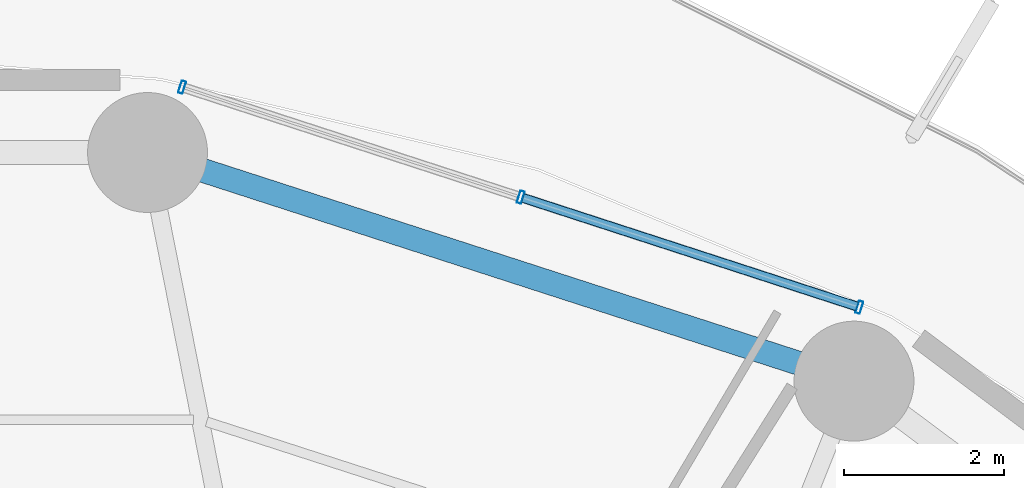
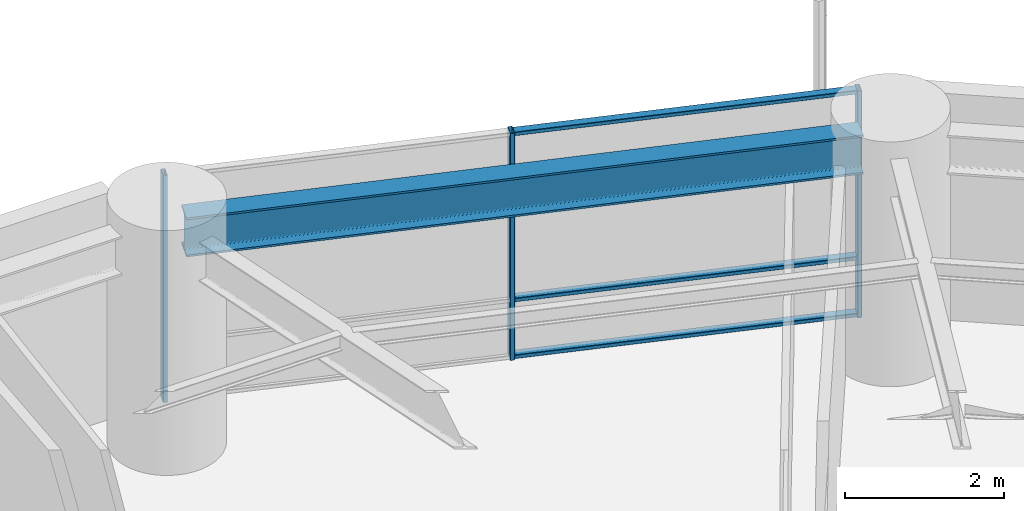
# One storey, part 22 of 34: 6 members, 1 beam, 1 element without a shape of its own.
"""IFC4 building model written with IfcOpenShell, lengths in metres."""

from ifc_helpers import new_model, si_unit, direction, frame, origin, origin_2d, place, context, subcontext, project, spatial, hollow_rectangle, i_section, extrude, material, layer, layer_set, material_profile, profile_set, type_object, element, aggregate, save


model = new_model("IFC4")

# Units and contexts
model_context = context("Model", 3, precision=1e-05, world=origin(), true_north=direction((0.0, 1.0)))
body_context = subcontext(model_context, "Body", "Model", "MODEL_VIEW")
ifc_project = project(units=[si_unit("LENGTHUNIT", "METRE"), si_unit("AREAUNIT", "SQUARE_METRE"), si_unit("VOLUMEUNIT", "CUBIC_METRE"), si_unit("PLANEANGLEUNIT", "RADIAN"), si_unit("MASSUNIT", "GRAM", prefix="KILO")], contexts=[model_context])

# Site, building, storey
site_placement = place(None, origin())
site = spatial("IfcSite", under=ifc_project, at=site_placement, CompositionType="ELEMENT")
building_placement = place(site_placement, origin())
building = spatial("IfcBuilding", under=site, at=building_placement, Name="Kelanora Arch Commons", CompositionType="ELEMENT")
storey_placement = place(building_placement, frame((0.0, 0.0, 33.75)))
storey = spatial("IfcBuildingStorey", under=building, at=storey_placement, Name="L08", CompositionType="ELEMENT", Elevation=33.75)

# Beam
ifc_material_1 = material(Name="Steel S355", Category="steel")
ifc_material_profile_1 = material_profile(ifc_material_1, i_section(OverallWidth=0.300048828125, OverallDepth=0.60009765625, WebThickness=0.015380859375, FlangeThickness=0.030029296875, FilletRadius=0.027099609375, at=origin_2d()), Name="HEB600")
ifc_profile_set_1 = profile_set([ifc_material_profile_1], Name="Steel S355")
beam_type = type_object("IfcBeamType", Name="BM-SPN-Z1", PredefinedType="SPANDREL", material=ifc_profile_set_1)
beam_placement = place(storey_placement, frame((87.178466796875, 78.970947265625, 3.18994140625), z_axis=(-0.951411839042, 0.307921276515, 0.0), x_axis=(-0.307921276515, -0.951411839042, 0.0)))
element("IfcBeam", 1, at=beam_placement, inside=storey, type_object=beam_type, Name="Perimeter Spandrel Beam BS-06 L08", PredefinedType="SPANDREL", context=body_context, shape_type="SweptSolid", body=[
    extrude(i_section(OverallWidth=0.300048828125, OverallDepth=0.60009765625, WebThickness=0.015380859375, FlangeThickness=0.030029296875, FilletRadius=0.027099609375, at=origin_2d()), origin(), (0.0, 0.0, 1.0), 8.68896484375),
])

# Curtain wall, members
ifc_material_2 = material(Name="Terracotta ceramic-fritted low-E glass and aluminium", Category="masonry")
ifc_layer = layer(ifc_material_2, 0.159912109375)
ifc_layer_set = layer_set([ifc_layer], Name="Terracotta ceramic-fritted low-E glass and aluminium")
curtain_wall_type = type_object("IfcCurtainWallType", Name="CW-SYS-01", PredefinedType="NOTDEFINED", material=ifc_layer_set)
curtain_wall_placement = place(storey_placement, origin())
curtain_wall = element("IfcCurtainWall", 2, at=curtain_wall_placement, inside=storey, type_object=curtain_wall_type, Name="Unitised Curtain Wall L08-B03", PredefinedType="NOTDEFINED")
ifc_material_3 = material(Name="Powder-coated aluminium terracotta", Category="masonry")
ifc_material_profile_2 = material_profile(ifc_material_3, hollow_rectangle(XDim=0.159912109375, YDim=0.06005859375, WallThickness=0.0048828125, InnerFilletRadius=0.0048828125, OuterFilletRadius=0.010009765625, at=origin_2d()), Name="CWM160x60")
ifc_profile_set_2 = profile_set([ifc_material_profile_2], Name="Powder-coated aluminium terracotta")
member_type_1 = type_object("IfcMemberType", Name="CWM-STD", PredefinedType="MULLION", material=ifc_profile_set_2)
member_1_placement = place(storey_placement, frame((87.607666015625, 79.778076171875, 0.0), z_axis=(0.0, 0.0, 1.0), x_axis=(-0.30905758454, -0.951043326793, 0.0)))
member_1 = element("IfcMember", 3, at=member_1_placement, type_object=member_type_1, Name="CW-01 mullion 1", PredefinedType="MULLION", context=body_context, shape_type="SweptSolid", body=[
    extrude(hollow_rectangle(XDim=0.159912109375, YDim=0.06005859375, WallThickness=0.0048828125, InnerFilletRadius=0.0048828125, OuterFilletRadius=0.010009765625, at=origin_2d()), origin(), (0.0, 0.0, 1.0), 3.47509765625),
])
member_2_placement = place(storey_placement, frame((83.37109375, 81.15478515625, 0.0), z_axis=(0.0, 0.0, 1.0), x_axis=(-0.30905758454, -0.951043326793, 0.0)))
member_2 = element("IfcMember", 4, at=member_2_placement, type_object=member_type_1, Name="CW-01 mullion 2", PredefinedType="MULLION", context=body_context, shape_type="SweptSolid", body=[
    extrude(hollow_rectangle(XDim=0.159912109375, YDim=0.06005859375, WallThickness=0.0048828125, InnerFilletRadius=0.0048828125, OuterFilletRadius=0.010009765625, at=origin_2d()), origin(), (0.0, 0.0, 1.0), 3.47509765625),
])
member_3_placement = place(storey_placement, frame((79.134521484375, 82.53173828125, 0.0), z_axis=(0.0, 0.0, 1.0), x_axis=(-0.30905758454, -0.951043326793, 0.0)))
member_3 = element("IfcMember", 5, at=member_3_placement, type_object=member_type_1, Name="CW-01 mullion 3", PredefinedType="MULLION", context=body_context, shape_type="SweptSolid", body=[
    extrude(hollow_rectangle(XDim=0.159912109375, YDim=0.06005859375, WallThickness=0.0048828125, InnerFilletRadius=0.0048828125, OuterFilletRadius=0.010009765625, at=origin_2d()), origin(), (0.0, 0.0, 1.0), 3.47509765625),
])
ifc_material_profile_3 = material_profile(ifc_material_3, hollow_rectangle(XDim=0.1201171875, YDim=0.06005859375, WallThickness=0.0048828125, InnerFilletRadius=0.0048828125, OuterFilletRadius=0.010009765625, at=origin_2d()), Name="CWT120x60")
ifc_profile_set_3 = profile_set([ifc_material_profile_3], Name="Powder-coated aluminium terracotta")
member_type_2 = type_object("IfcMemberType", Name="CWT-STD", PredefinedType="USERDEFINED", material=ifc_profile_set_3)
member_4_placement = place(storey_placement, frame((87.5791015625, 79.787353515625, 0.030029296875), z_axis=(-0.951045091182, 0.309052155047, 0.0), x_axis=(-0.309052155047, -0.951045091182, 0.0)))
member_4 = element("IfcMember", 6, at=member_4_placement, type_object=member_type_2, Name="CW-01 transom 1.1", ObjectType="TRANSOM", PredefinedType="USERDEFINED", context=body_context, shape_type="SweptSolid", body=[
    extrude(hollow_rectangle(XDim=0.1201171875, YDim=0.06005859375, WallThickness=0.0048828125, InnerFilletRadius=0.0048828125, OuterFilletRadius=0.010009765625, at=origin_2d()), origin(), (0.0, 0.0, 1.0), 4.39453125),
])
member_5_placement = place(storey_placement, frame((87.5791015625, 79.787353515625, 0.89990234375), z_axis=(-0.951045091182, 0.309052155047, 0.0), x_axis=(-0.309052155047, -0.951045091182, 0.0)))
member_5 = element("IfcMember", 7, at=member_5_placement, type_object=member_type_2, Name="CW-01 transom 1.2", ObjectType="TRANSOM", PredefinedType="USERDEFINED", context=body_context, shape_type="SweptSolid", body=[
    extrude(hollow_rectangle(XDim=0.1201171875, YDim=0.06005859375, WallThickness=0.0048828125, InnerFilletRadius=0.0048828125, OuterFilletRadius=0.010009765625, at=origin_2d()), origin(), (0.0, 0.0, 1.0), 4.39453125),
])
member_6_placement = place(storey_placement, frame((87.5791015625, 79.787353515625, 3.445068359375), z_axis=(-0.951045091182, 0.309052155047, 0.0), x_axis=(-0.309052155047, -0.951045091182, 0.0)))
member_6 = element("IfcMember", 8, at=member_6_placement, type_object=member_type_2, Name="CW-01 transom 1.3", ObjectType="TRANSOM", PredefinedType="USERDEFINED", context=body_context, shape_type="SweptSolid", body=[
    extrude(hollow_rectangle(XDim=0.1201171875, YDim=0.06005859375, WallThickness=0.0048828125, InnerFilletRadius=0.0048828125, OuterFilletRadius=0.010009765625, at=origin_2d()), origin(), (0.0, 0.0, 1.0), 4.39453125),
])
aggregate(curtain_wall, [member_1, member_2, member_3, member_4, member_5, member_6])

save(model, "model.ifc")
